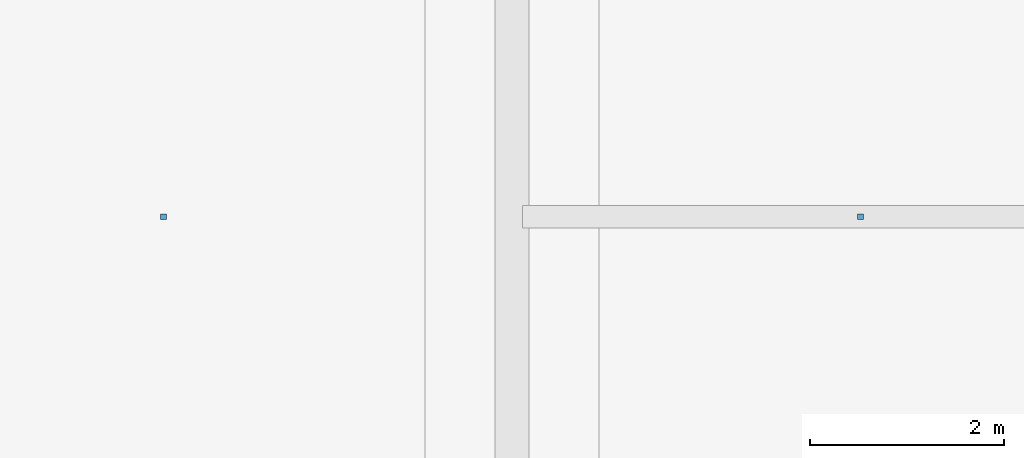
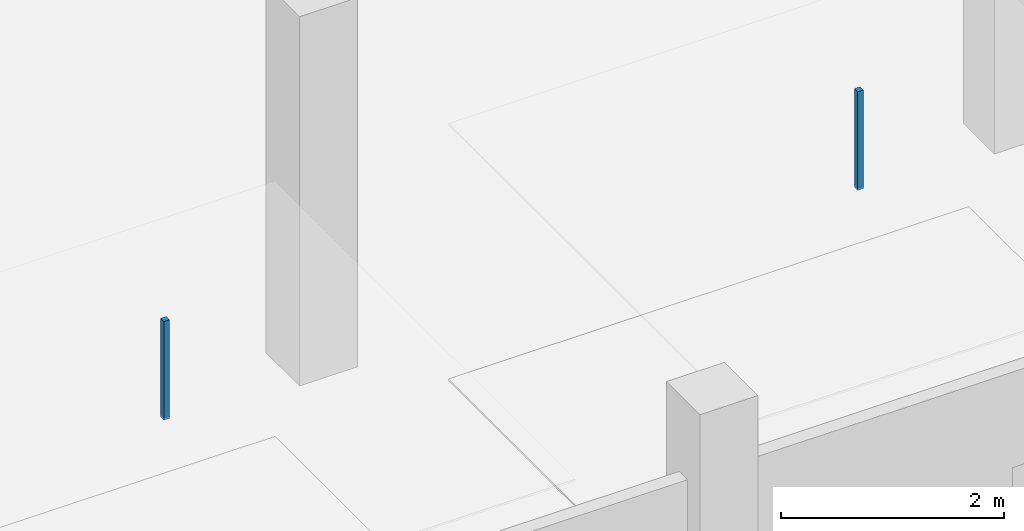
# One storey, part 95 of 108: 2 discrete accessories.
"""IFC4 building model written with IfcOpenShell, lengths in metres."""

from ifc_helpers import new_model, si_unit, direction, frame, origin, origin_2d, place, context, subcontext, project, spatial, rectangle, extrude, material, type_object, element, save


model = new_model("IFC4")

# Units and contexts
model_context = context("Model", 3, precision=1e-05, world=origin(), true_north=direction((0.0, 1.0)))
body_context = subcontext(model_context, "Body", "Model", "MODEL_VIEW")
ifc_project = project(units=[si_unit("LENGTHUNIT", "METRE"), si_unit("AREAUNIT", "SQUARE_METRE"), si_unit("VOLUMEUNIT", "CUBIC_METRE"), si_unit("PLANEANGLEUNIT", "RADIAN"), si_unit("MASSUNIT", "GRAM", prefix="KILO")], contexts=[model_context])

# Site, building, storey
site_placement = place(None, origin())
site = spatial("IfcSite", under=ifc_project, at=site_placement, CompositionType="ELEMENT")
building_placement = place(site_placement, origin())
building = spatial("IfcBuilding", under=site, at=building_placement, Name="Kangsadwip Square Police Headquarters", CompositionType="ELEMENT")
storey_placement = place(building_placement, frame((0.0, 0.0, 9.449951171875)))
storey = spatial("IfcBuildingStorey", under=building, at=storey_placement, Name="L02", CompositionType="ELEMENT", Elevation=9.449951171875)

# Discrete accessories
ifc_material = material(Name="Structural steel IS 2062 E350 (Grade 350, 350 MPa)", Category="steel")
discrete_accessory_type = type_object("IfcDiscreteAccessoryType", Name="VeilOutriggerBracket", PredefinedType="BRACKET", material=ifc_material)
for number, where, z_axis, x_axis, name in (
    (1, (25.199951171875, 104.39990234375, 2.81005859375), (0.0, 0.0, 1.0), (1.0, 0.0, 0.0), "Ceiling Suspension Hanger L02-066"),
    (2, (32.39990234375, 104.39990234375, 2.81005859375), (0.0, 0.0, 1.0), (1.0, 0.0, 0.0), "Ceiling Suspension Hanger L02-067"),
):
    element("IfcDiscreteAccessory", number, at=place(storey_placement, frame(where, z_axis=z_axis, x_axis=x_axis)), inside=storey, type_object=discrete_accessory_type, Name=name, PredefinedType="BRACKET", context=body_context, shape_type="SweptSolid", body=[
        extrude(rectangle(XDim=0.06005859375, YDim=0.06005859375, at=origin_2d()), origin(), (0.0, 0.0, 1.0), 1.080078125),
    ])

save(model, "model.ifc")
